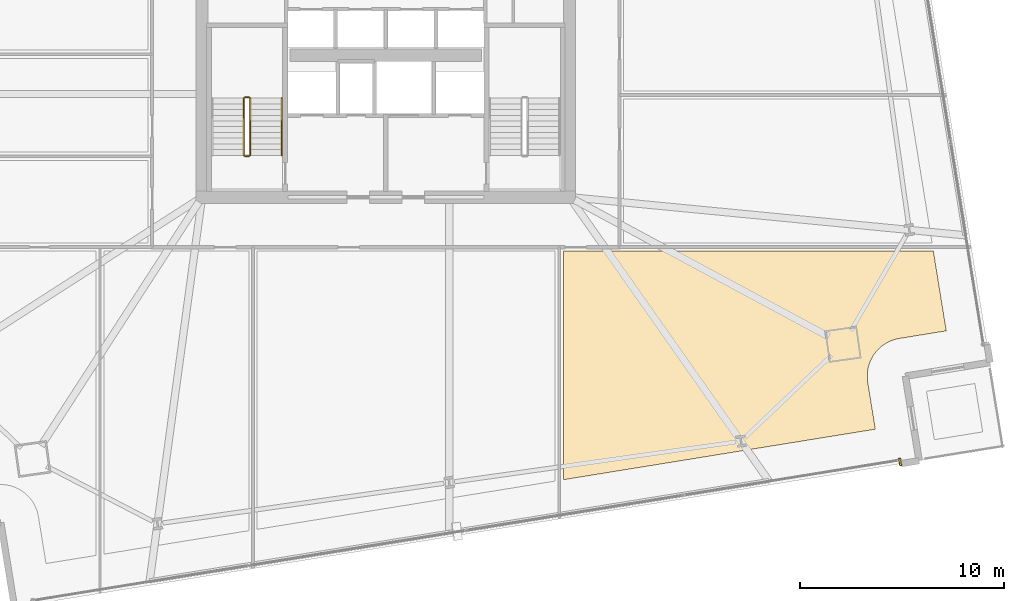
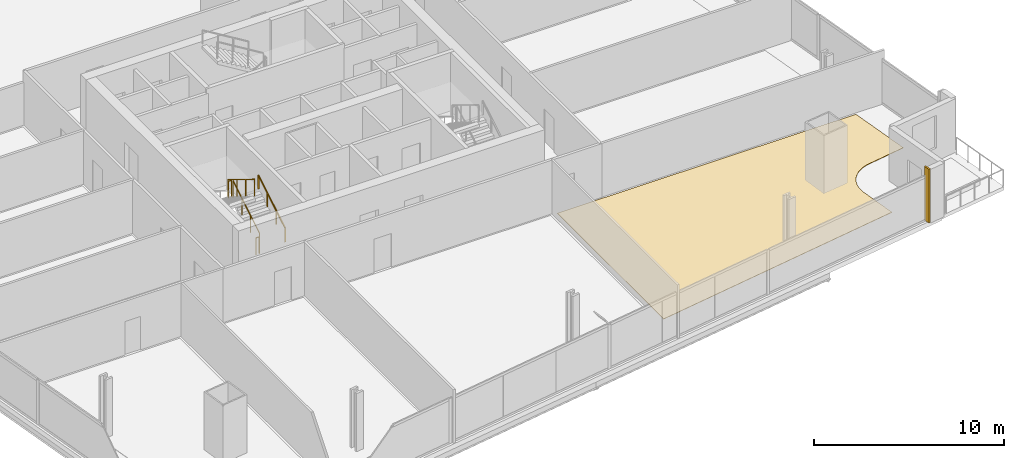
# One storey, part 30 of 33: 5 railings, 2 coverings.
"""IFC4 building model written with IfcOpenShell, lengths in metres."""

from ifc_helpers import new_model, si_unit, direction, frame, origin, origin_2d, place, context, subcontext, project, spatial, polyline, rectangle, outline, extrude, source, transform, mapped, material, layer, layer_set, type_object, element, save


model = new_model("IFC4")

# Units and contexts
model_context = context("Model", 3, precision=1e-05, world=origin(), true_north=direction((0.0, 1.0)))
body_context = subcontext(model_context, "Body", "Model", "MODEL_VIEW")
ifc_project = project(units=[si_unit("LENGTHUNIT", "METRE"), si_unit("AREAUNIT", "SQUARE_METRE"), si_unit("VOLUMEUNIT", "CUBIC_METRE"), si_unit("PLANEANGLEUNIT", "RADIAN"), si_unit("MASSUNIT", "GRAM", prefix="KILO")], contexts=[model_context])

# Site, building, storey
site_placement = place(None, origin())
site = spatial("IfcSite", under=ifc_project, at=site_placement, CompositionType="ELEMENT")
building_placement = place(site_placement, origin())
building = spatial("IfcBuilding", under=site, at=building_placement, Name="Haldenkirk Collegiate Tower", CompositionType="ELEMENT")
storey_placement = place(building_placement, frame((0.0, 0.0, 58.949951171875)))
storey = spatial("IfcBuildingStorey", under=building, at=storey_placement, Name="L13", CompositionType="ELEMENT", Elevation=58.949951171875)

# Covering
ifc_material_1 = material(Name="Polished collegiate terrazzo", Category="concrete")
ifc_layer_1 = layer(ifc_material_1, 0.02490234375)
ifc_layer_set_1 = layer_set([ifc_layer_1], Name="Polished collegiate terrazzo")
covering_type_1 = type_object("IfcCoveringType", Name="COV-FLOOR-TERRAZZO", PredefinedType="FLOORING", material=ifc_layer_set_1)
covering_1_placement = place(storey_placement, origin())
element("IfcCovering", 1, at=covering_1_placement, inside=storey, type_object=covering_type_1, Name="L13 academic room finish 04", PredefinedType="FLOORING", context=body_context, shape_type="SweptSolid", body=[
    extrude(outline(polyline([(63.459716796875, 11.447998046875), (61.159912109375, 11.07568359375), (61.154052734375, 11.074462890625), (60.986083984375, 11.038818359375), (60.974609375, 11.03564453125), (60.81103515625, 10.983642578125), (60.800048828125, 10.9794921875), (60.64208984375, 10.911865234375), (60.631591796875, 10.906494140625), (60.481201171875, 10.823486328125), (60.47119140625, 10.8173828125), (60.32958984375, 10.72021484375), (60.3203125, 10.712890625), (60.18896484375, 10.602294921875), (60.180419921875, 10.59423828125), (60.060546875, 10.47119140625), (60.052734375, 10.46240234375), (59.945556640625, 10.328125), (59.938720703125, 10.318603515625), (59.84521484375, 10.174560546875), (59.83935546875, 10.164306640625), (59.760498046875, 10.01171875), (59.755615234375, 10.001220703125), (59.69189453125, 9.841552734375), (59.68798828125, 9.83056640625), (59.640380859375, 9.66552734375), (59.6376953125, 9.654052734375), (59.6064453125, 9.485107421875), (59.60498046875, 9.473388671875), (59.59033203125, 9.302490234375), (59.58984375, 9.29052734375), (59.59228515625, 9.118896484375), (59.593017578125, 9.107177734375), (59.612060546875, 8.9365234375), (59.61279296875, 8.9306640625), (59.9853515625, 6.630615234375), (44.699951171875, 4.155029296875), (44.699951171875, 15.35009765625), (62.827880859375, 15.35009765625), (63.459716796875, 11.447998046875)])), origin(), (0.0, 0.0, 1.0), 0.025146484375),
])

# Railings
ifc_material_2 = material(Name="Painted architectural tubular steel", Category="steel")
railing_type_1 = type_object("IfcRailingType", Name="RLG-STAIR-GUARD-1100", PredefinedType="BALUSTRADE", material=ifc_material_2)
railing_1_placement = place(storey_placement, frame((29.35009765625, 20.050048828125, 0.17041015625)))
element("IfcRailing", 2, at=railing_1_placement, inside=storey, type_object=railing_type_1, Name="L13 ST-1 stair guard 1", PredefinedType="BALUSTRADE", context=body_context, shape_type="SweptSolid", body=[
    extrude(rectangle(XDim=0.048095703125, YDim=0.048095703125, at=origin_2d()), frame((0.0, 0.0, 1.076171875), z_axis=(0.0, 0.854169791009, 0.51999420009), x_axis=(-1.0, 0.0, 0.0)), (0.0, 0.0, 1.0), 3.278076171875),
    extrude(rectangle(XDim=0.0419921875, YDim=0.0419921875, at=origin_2d()), origin(), (0.0, 0.0, 1.0), 1.052001953125),
    extrude(rectangle(XDim=0.0419921875, YDim=0.0419921875, at=origin_2d()), frame((0.0, 0.933349609375, 0.568115234375)), (0.0, 0.0, 1.0), 1.052001953125),
    extrude(rectangle(XDim=0.0419921875, YDim=0.0419921875, at=origin_2d()), frame((0.0, 1.86669921875, 1.136474609375)), (0.0, 0.0, 1.0), 1.052001953125),
    extrude(rectangle(XDim=0.0419921875, YDim=0.0419921875, at=origin_2d()), frame((0.0, 2.800048828125, 1.70458984375)), (0.0, 0.0, 1.0), 1.052001953125),
])
railing_2_placement = place(storey_placement, frame((29.300048828125, 22.89990234375, 1.875)))
element("IfcRailing", 3, at=railing_2_placement, inside=storey, type_object=railing_type_1, Name="L13 ST-1 stair guard 2", PredefinedType="BALUSTRADE", context=body_context, shape_type="SweptSolid", body=[
    extrude(rectangle(XDim=0.048095703125, YDim=0.048095703125, at=origin_2d()), frame((0.0, 0.0, 1.076171875), z_axis=(-1.0, 0.0, 0.0), x_axis=(0.0, -1.0, 0.0)), (0.0, 0.0, 1.0), 0.199951171875),
    extrude(rectangle(XDim=0.0419921875, YDim=0.0419921875, at=origin_2d()), origin(), (0.0, 0.0, 1.0), 1.052001953125),
    extrude(rectangle(XDim=0.0419921875, YDim=0.0419921875, at=origin_2d()), frame((-0.199951171875, 0.0, 0.0)), (0.0, 0.0, 1.0), 1.052001953125),
])
railing_3_placement = place(storey_placement, frame((29.050048828125, 22.85009765625, 2.04541015625)))
element("IfcRailing", 4, at=railing_3_placement, inside=storey, type_object=railing_type_1, Name="L13 ST-1 stair guard 3", PredefinedType="BALUSTRADE", context=body_context, shape_type="SweptSolid", body=[
    extrude(rectangle(XDim=0.048095703125, YDim=0.048095703125, at=origin_2d()), frame((0.0, 0.0, 1.076171875), z_axis=(0.0, -0.854169791009, 0.51999420009), x_axis=(1.0, 0.0, 0.0)), (0.0, 0.0, 1.0), 3.278076171875),
    extrude(rectangle(XDim=0.0419921875, YDim=0.0419921875, at=origin_2d()), origin(), (0.0, 0.0, 1.0), 1.052001953125),
    extrude(rectangle(XDim=0.0419921875, YDim=0.0419921875, at=origin_2d()), frame((0.0, -0.933349609375, 0.568115234375)), (0.0, 0.0, 1.0), 1.052001953125),
    extrude(rectangle(XDim=0.0419921875, YDim=0.0419921875, at=origin_2d()), frame((0.0, -1.86669921875, 1.136474609375)), (0.0, 0.0, 1.0), 1.052001953125),
    extrude(rectangle(XDim=0.0419921875, YDim=0.0419921875, at=origin_2d()), frame((0.0, -2.800048828125, 1.70458984375)), (0.0, 0.0, 1.0), 1.052001953125),
])
railing_4_placement = place(storey_placement, frame((29.300048828125, 20.0, 0.0)))
element("IfcRailing", 5, at=railing_4_placement, inside=storey, type_object=railing_type_1, Name="L13 ST-1 stair guard 4", PredefinedType="BALUSTRADE", context=body_context, shape_type="SweptSolid", body=[
    extrude(rectangle(XDim=0.048095703125, YDim=0.048095703125, at=origin_2d()), frame((0.0, 0.0, 1.076171875), z_axis=(-1.0, 0.0, 0.0), x_axis=(0.0, -1.0, 0.0)), (0.0, 0.0, 1.0), 0.199951171875),
    extrude(rectangle(XDim=0.0419921875, YDim=0.0419921875, at=origin_2d()), origin(), (0.0, 0.0, 1.0), 1.052001953125),
    extrude(rectangle(XDim=0.0419921875, YDim=0.0419921875, at=origin_2d()), frame((-0.199951171875, 0.0, 0.0)), (0.0, 0.0, 1.0), 1.052001953125),
])
railing_type_2 = type_object("IfcRailingType", Name="RLG-STAIR-HANDRAIL-900", PredefinedType="HANDRAIL", material=ifc_material_2)
railing_5_placement = place(storey_placement, frame((30.89990234375, 20.050048828125, 0.17041015625)))
element("IfcRailing", 6, at=railing_5_placement, inside=storey, type_object=railing_type_2, Name="L13 ST-1 stair handrail 1", PredefinedType="HANDRAIL", context=body_context, shape_type="SweptSolid", body=[
    extrude(rectangle(XDim=0.048095703125, YDim=0.048095703125, at=origin_2d()), frame((0.0, 0.0, 0.8759765625), z_axis=(0.0, 0.854169791009, 0.51999420009), x_axis=(-1.0, 0.0, 0.0)), (0.0, 0.0, 1.0), 3.278076171875),
    extrude(rectangle(XDim=0.0419921875, YDim=0.0419921875, at=origin_2d()), origin(), (0.0, 0.0, 1.0), 0.851806640625),
    extrude(rectangle(XDim=0.0419921875, YDim=0.0419921875, at=origin_2d()), frame((0.0, 0.933349609375, 0.568115234375)), (0.0, 0.0, 1.0), 0.851806640625),
    extrude(rectangle(XDim=0.0419921875, YDim=0.0419921875, at=origin_2d()), frame((0.0, 1.86669921875, 1.136474609375)), (0.0, 0.0, 1.0), 0.851806640625),
    extrude(rectangle(XDim=0.0419921875, YDim=0.0419921875, at=origin_2d()), frame((0.0, 2.800048828125, 1.70458984375)), (0.0, 0.0, 1.0), 0.851806640625),
])

# Covering
ifc_material_3 = material(Name="Anodised architectural bronze aluminium", Category="aluminium")
ifc_layer_2 = layer(ifc_material_3, 0.06005859375)
ifc_layer_set_2 = layer_set([ifc_layer_2], Name="Anodised architectural bronze aluminium")
covering_type_2 = type_object("IfcCoveringType", Name="COV-CLAD-BRONZE-60", PredefinedType="CLADDING", material=ifc_layer_set_2)
shared_shape = source(origin(), body_context, "Body", "SweptSolid", [
    extrude(rectangle(XDim=0.10009765625, YDim=0.3798828125, at=origin_2d()), origin(), (0.0, 0.0, 1.0), 3.43994140625),
])
covering_2_placement = place(storey_placement, frame((61.197998046875, 5.023681640625, 0.0), z_axis=(0.0, 0.0, 1.0), x_axis=(-0.987136265073, -0.159881187692, 0.0)))
element("IfcCovering", 7, at=covering_2_placement, inside=storey, type_object=covering_type_2, Name="L13 recessed curtain-wall bronze jamb closure SJL", PredefinedType="CLADDING", context=body_context, shape_type="MappedRepresentation", body=[
    mapped(shared_shape, transform((0.0, 0.0, 0.0), x_axis=(1.0, 0.0, 0.0), y_axis=(0.0, 1.0, 0.0), z_axis=(0.0, 0.0, 1.0), scale=1.0)),
])

save(model, "model.ifc")
